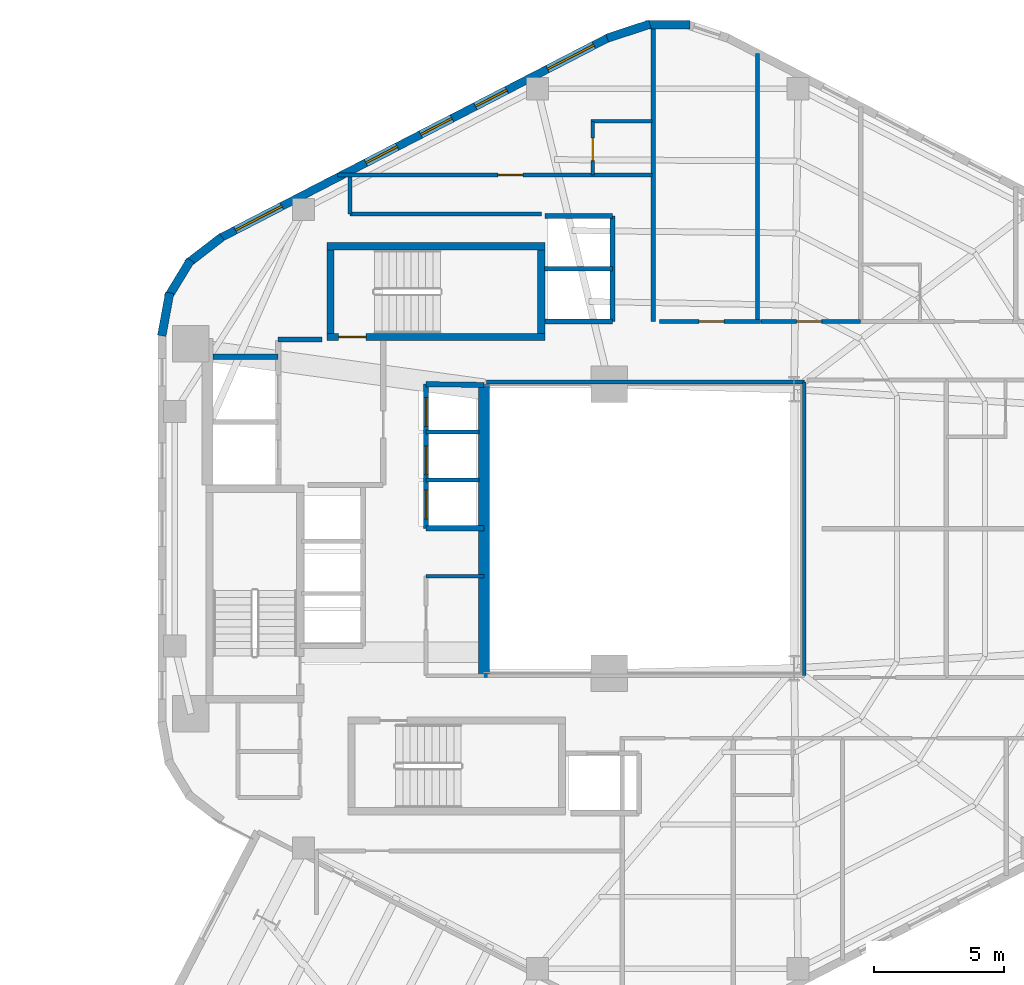
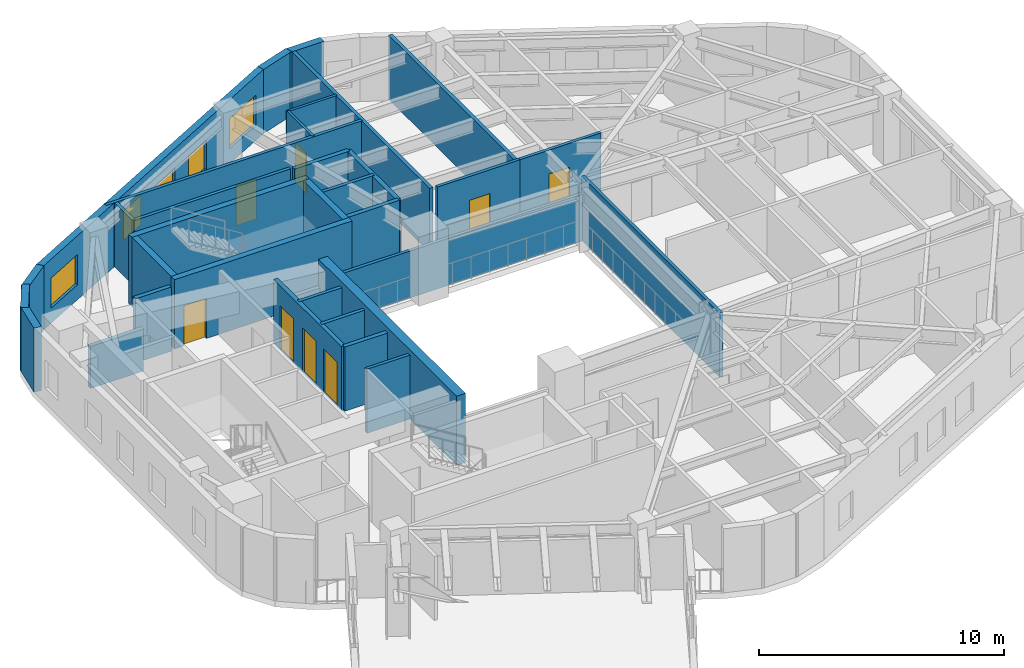
# One storey, part 7 of 10: 34 walls, 8 doors, 5 windows, 13 openings.
"""IFC4 building model written with IfcOpenShell, lengths in metres."""

from ifc_helpers import new_model, si_unit, direction, frame, frame_2d, origin, place, context, subcontext, project, spatial, rectangle, extrude, material, layer, layer_set, type_object, element, fill, save


model = new_model("IFC4")

# Units and contexts
model_context = context("Model", 3, precision=1e-05, world=origin(), true_north=direction((0.0, 1.0)))
body_context = subcontext(model_context, "Body", "Model", "MODEL_VIEW")
ifc_project = project(units=[si_unit("LENGTHUNIT", "METRE"), si_unit("AREAUNIT", "SQUARE_METRE"), si_unit("VOLUMEUNIT", "CUBIC_METRE"), si_unit("PLANEANGLEUNIT", "RADIAN"), si_unit("MASSUNIT", "GRAM", prefix="KILO"), si_unit("THERMODYNAMICTEMPERATUREUNIT", "KELVIN"), si_unit("POWERUNIT", "WATT")], contexts=[model_context])

# Site, building, storey
site_placement = place(None, origin())
site = spatial("IfcSite", under=ifc_project, at=site_placement, CompositionType="ELEMENT")
building_placement = place(site_placement, origin())
building = spatial("IfcBuilding", under=site, at=building_placement, Name="Skarre Station Tower", CompositionType="ELEMENT")
storey_placement = place(building_placement, frame((0.0, 0.0, 180.89990234375)))
storey = spatial("IfcBuildingStorey", under=building, at=storey_placement, Name="L49", CompositionType="ELEMENT", Elevation=180.89990234375)

# Walls
ifc_material_1 = material(Name="Acoustic Steel-Stud Gypsum Partition", Category="steel")
ifc_layer_1 = layer(ifc_material_1, 0.14990234375, Name="Acoustic Steel-Stud Gypsum Partition")
ifc_layer_set_1 = layer_set([ifc_layer_1], Name="Acoustic Steel-Stud Gypsum Partition")
wall_type_1 = type_object("IfcWallType", Name="Fire-Rated Corridor Acoustic Partition 150", PredefinedType="PARTITIONING", material=ifc_layer_set_1)
wall_1_placement = place(storey_placement, frame((25.320068359375, 22.179931640625, 0.0), z_axis=(0.0, 0.0, 1.0), x_axis=(1.0, 0.0, 0.0)))
element("IfcWall", 1, at=wall_1_placement, inside=storey, type_object=wall_type_1, Name="L49 Interior Partition WL-PT-L49-RC1-N2", PredefinedType="PARTITIONING", context=body_context, shape_type="SweptSolid", body=[
    extrude(rectangle(XDim=2.22998046875, YDim=0.14990234375, at=frame_2d((1.114990234375, 0.0))), origin(), (0.0, 0.0, 1.0), 3.190185546875),
])
wall_2_placement = place(storey_placement, frame((39.840087890625, 29.639892578125, 0.0), z_axis=(0.0, 0.0, 1.0), x_axis=(-1.0, 0.0, 0.0)))
element("IfcWall", 2, at=wall_2_placement, inside=storey, type_object=wall_type_1, Name="L49 Interior Partition WL-PT-L49-ATRW-N", PredefinedType="PARTITIONING", context=body_context, shape_type="SweptSolid", body=[
    extrude(rectangle(XDim=12.2001953125, YDim=0.14990234375, at=frame_2d((6.10009765625, 0.0))), origin(), (0.0, 0.0, 1.0), 2.3310546875),
])
wall_3_placement = place(storey_placement, frame((39.840087890625, 18.360107421875, 0.0), z_axis=(0.0, 0.0, 1.0), x_axis=(0.0, 1.0, 0.0)))
element("IfcWall", 3, at=wall_3_placement, inside=storey, type_object=wall_type_1, Name="L49 Interior Partition WL-PT-L49-ATRW-E", PredefinedType="PARTITIONING", context=body_context, shape_type="SweptSolid", body=[
    extrude(rectangle(XDim=11.27978515625, YDim=0.14990234375, at=frame_2d((5.639892578125, 0.0))), origin(), (0.0, 0.0, 1.0), 3.190185546875),
])

# Wall, opening, door
wall_4_placement = place(storey_placement, frame((34.0, 37.580078125, 0.0), z_axis=(0.0, 0.0, 1.0), x_axis=(-1.0, 0.0, 0.0)))
wall_4 = element("IfcWall", 4, at=wall_4_placement, inside=storey, type_object=wall_type_1, Name="L49 Interior Partition WL-PT-L49-NWW1-CW", PredefinedType="PARTITIONING", context=body_context, shape_type="SweptSolid", body=[
    extrude(rectangle(XDim=12.074951171875, YDim=0.14990234375, at=frame_2d((6.03759765625, 0.0))), origin(), (0.0, 0.0, 1.0), 3.190185546875),
])
opening_1_placement = place(wall_4_placement, frame((4.9599609375, 0.0, 0.0)))
opening_1 = element("IfcOpeningElement", 5, at=opening_1_placement, cuts=wall_4, Name="Opening DR-FD60", PredefinedType="OPENING", context=body_context, shape_type="SweptSolid", body=[
    extrude(rectangle(XDim=0.9599609375, YDim=2.0, at=frame_2d((0.47998046875, 1.0))), frame((0.0, 0.0849609375, 0.0), z_axis=(0.0, -1.0, 0.0), x_axis=(1.0, 0.0, 0.0)), (0.0, 0.0, 1.0), 0.169921875),
])
ifc_material_2 = material(Name="Nordic White-Oak Veneer Solid-Core Fire Leaf", Category="wood")
door_type_1 = type_object("IfcDoorType", Name="Corridor Suite Entry Fire Door FD60 960x2150", OperationType="SINGLE_SWING_LEFT", PredefinedType="DOOR", material=ifc_material_2)
door_1_placement = place(opening_1_placement, origin())
door_1 = element("IfcDoor", 6, at=door_1_placement, inside=storey, type_object=door_type_1, Name="L49 NWW1 Entry Door", OperationType="SINGLE_SWING_LEFT", OverallHeight=2.0, OverallWidth=0.9599609375, PredefinedType="DOOR", context=body_context, shape_type="SweptSolid", body=[
    extrude(rectangle(XDim=0.9599609375, YDim=2.0, at=frame_2d((0.47998046875, 1.0))), frame((0.0, 0.02490234375, 0.0), z_axis=(0.0, -1.0, 0.0), x_axis=(1.0, 0.0, 0.0)), (0.0, 0.0, 1.0), 0.050048828125),
])
fill(opening_1, door_1)

wall_5_placement = place(storey_placement, frame((38.1640625, 31.9599609375, 0.0), z_axis=(0.0, 0.0, 1.0), x_axis=(-1.0, 0.0, 0.0)))
wall_5 = element("IfcWall", 7, at=wall_5_placement, inside=storey, type_object=wall_type_1, Name="L49 Interior Partition WL-PT-L49-NW1-CW", PredefinedType="PARTITIONING", context=body_context, shape_type="SweptSolid", body=[
    extrude(rectangle(XDim=3.8740234375, YDim=0.14990234375, at=frame_2d((1.93701171875, 0.0))), origin(), (0.0, 0.0, 1.0), 3.190185546875),
])
opening_2_placement = place(wall_5_placement, frame((1.39990234375, 0.0, 0.0)))
opening_2 = element("IfcOpeningElement", 8, at=opening_2_placement, cuts=wall_5, Name="Opening DR-FD60", PredefinedType="OPENING", context=body_context, shape_type="SweptSolid", body=[
    extrude(rectangle(XDim=0.9599609375, YDim=2.0, at=frame_2d((0.47998046875, 1.0))), frame((0.0, 0.0849609375, 0.0), z_axis=(0.0, -1.0, 0.0), x_axis=(1.0, 0.0, 0.0)), (0.0, 0.0, 1.0), 0.169921875),
])
door_2_placement = place(opening_2_placement, origin())
door_2 = element("IfcDoor", 9, at=door_2_placement, inside=storey, type_object=door_type_1, Name="L49 NW1 Entry Door", OperationType="SINGLE_SWING_LEFT", OverallHeight=2.0, OverallWidth=0.9599609375, PredefinedType="DOOR", context=body_context, shape_type="SweptSolid", body=[
    extrude(rectangle(XDim=0.9599609375, YDim=2.0, at=frame_2d((0.47998046875, 1.0))), frame((0.0, 0.02490234375, 0.0), z_axis=(0.0, -1.0, 0.0), x_axis=(1.0, 0.0, 0.0)), (0.0, 0.0, 1.0), 0.050048828125),
])
fill(opening_2, door_2)

wall_6_placement = place(storey_placement, frame((41.991943359375, 31.9599609375, 0.0), z_axis=(0.0, 0.0, 1.0), x_axis=(-1.0, 0.0, 0.0)))
wall_6 = element("IfcWall", 10, at=wall_6_placement, inside=storey, type_object=wall_type_1, Name="L49 Interior Partition WL-PT-L49-NW2-CW", PredefinedType="PARTITIONING", context=body_context, shape_type="SweptSolid", body=[
    extrude(rectangle(XDim=3.81787109375, YDim=0.14990234375, at=frame_2d((1.908935546875, 0.0))), origin(), (0.0, 0.0, 1.0), 3.190185546875),
])
opening_3_placement = place(wall_6_placement, frame((1.486083984375, 0.0, 0.0)))
opening_3 = element("IfcOpeningElement", 11, at=opening_3_placement, cuts=wall_6, Name="Opening DR-FD60", PredefinedType="OPENING", context=body_context, shape_type="SweptSolid", body=[
    extrude(rectangle(XDim=0.9599609375, YDim=2.0, at=frame_2d((0.47998046875, 1.0))), frame((0.0, 0.0849609375, 0.0), z_axis=(0.0, -1.0, 0.0), x_axis=(1.0, 0.0, 0.0)), (0.0, 0.0, 1.0), 0.169921875),
])
door_3_placement = place(opening_3_placement, origin())
door_3 = element("IfcDoor", 12, at=door_3_placement, inside=storey, type_object=door_type_1, Name="L49 NW2 Entry Door", OperationType="SINGLE_SWING_LEFT", OverallHeight=2.0, OverallWidth=0.9599609375, PredefinedType="DOOR", context=body_context, shape_type="SweptSolid", body=[
    extrude(rectangle(XDim=0.9599609375, YDim=2.0, at=frame_2d((0.47998046875, 1.0))), frame((0.0, 0.02490234375, 0.0), z_axis=(0.0, -1.0, 0.0), x_axis=(1.0, 0.0, 0.0)), (0.0, 0.0, 1.0), 0.050048828125),
])
fill(opening_3, door_3)

# Walls
wall_7_placement = place(storey_placement, frame((29.7529296875, 36.080078125, 0.0), z_axis=(0.0, 0.0, 1.0), x_axis=(-1.0, 0.0, 0.0)))
element("IfcWall", 13, at=wall_7_placement, inside=storey, type_object=wall_type_1, Name="L49 Interior Partition WL-PT-L49-CSEAL-1", PredefinedType="PARTITIONING", context=body_context, shape_type="SweptSolid", body=[
    extrude(rectangle(XDim=7.35302734375, YDim=0.14990234375, at=frame_2d((3.676513671875, 0.0))), origin(), (0.0, 0.0, 1.0), 3.190185546875),
])
wall_8_placement = place(storey_placement, frame((22.39990234375, 36.080078125, 0.0), z_axis=(0.0, 0.0, 1.0), x_axis=(0.0, 1.0, 0.0)))
element("IfcWall", 14, at=wall_8_placement, inside=storey, type_object=wall_type_1, Name="L49 Interior Partition WL-PT-L49-CSEAL-2", PredefinedType="PARTITIONING", context=body_context, shape_type="SweptSolid", body=[
    extrude(rectangle(XDim=1.429931640625, YDim=0.14990234375, at=frame_2d((0.71484375, 0.0))), origin(), (0.0, 0.0, 1.0), 3.190185546875),
])
ifc_material_3 = material(Name="Insulated Timber-Stud Gypsum Partition", Category="wood")
ifc_layer_2 = layer(ifc_material_3, 0.1201171875, Name="Insulated Timber-Stud Gypsum Partition")
ifc_layer_set_2 = layer_set([ifc_layer_2], Name="Insulated Timber-Stud Gypsum Partition")
wall_type_2 = type_object("IfcWallType", Name="Internal Suite Acoustic Partition 120", PredefinedType="PARTITIONING", material=ifc_layer_set_2)
wall_9_placement = place(storey_placement, frame((34.0, 39.639892578125, 0.0), z_axis=(0.0, 0.0, 1.0), x_axis=(-1.0, 0.0, 0.0)))
element("IfcWall", 15, at=wall_9_placement, inside=storey, type_object=wall_type_2, Name="L49 Interior Partition WL-PT-L49-NWW1-EW3", PredefinedType="PARTITIONING", context=body_context, shape_type="SweptSolid", body=[
    extrude(rectangle(XDim=2.340087890625, YDim=0.1201171875, at=frame_2d((1.169921875, 0.0))), origin(), (0.0, 0.0, 1.0), 3.190185546875),
])

# Wall, opening, door
wall_10_placement = place(storey_placement, frame((31.719970703125, 39.639892578125, 0.0), z_axis=(0.0, 0.0, 1.0), x_axis=(0.0, -1.0, 0.0)))
wall_10 = element("IfcWall", 16, at=wall_10_placement, inside=storey, type_object=wall_type_2, Name="L49 Interior Partition WL-PT-L49-NWW1-EW4", PredefinedType="PARTITIONING", context=body_context, shape_type="SweptSolid", body=[
    extrude(rectangle(XDim=2.059814453125, YDim=0.1201171875, at=frame_2d((1.02978515625, 0.0))), origin(), (0.0, 0.0, 1.0), 3.190185546875),
])
opening_4_placement = place(wall_10_placement, frame((0.64990234375, 0.0, 0.0)))
opening_4 = element("IfcOpeningElement", 17, at=opening_4_placement, cuts=wall_10, Name="Opening DR-INT86", PredefinedType="OPENING", context=body_context, shape_type="SweptSolid", body=[
    extrude(rectangle(XDim=0.860107421875, YDim=2.0, at=frame_2d((0.43017578125, 1.0))), frame((0.0, 0.070068359375, 0.0), z_axis=(0.0, -1.0, 0.0), x_axis=(1.0, 0.0, 0.0)), (0.0, 0.0, 1.0), 0.14013671875),
])
ifc_material_4 = material(Name="Nordic Birch Acoustic Solid-Core Timber Leaf", Category="wood")
door_type_2 = type_object("IfcDoorType", Name="Internal En-Suite & Bedroom Door 860x2100", OperationType="SINGLE_SWING_LEFT", PredefinedType="DOOR", material=ifc_material_4)
door_4_placement = place(opening_4_placement, origin())
door_4 = element("IfcDoor", 18, at=door_4_placement, inside=storey, type_object=door_type_2, Name="L49 NWW1 En-suite Door", OperationType="SINGLE_SWING_RIGHT", OverallHeight=2.0, OverallWidth=0.860107421875, PredefinedType="DOOR", context=body_context, shape_type="SweptSolid", body=[
    extrude(rectangle(XDim=0.860107421875, YDim=2.0, at=frame_2d((0.43017578125, 1.0))), frame((0.0, 0.02490234375, 0.0), z_axis=(0.0, -1.0, 0.0), x_axis=(1.0, 0.0, 0.0)), (0.0, 0.0, 1.0), 0.050048828125),
])
fill(opening_4, door_4)

# Walls
ifc_material_5 = material(Name="Precast concrete C45/55", Category="concrete")
ifc_layer_3 = layer(ifc_material_5, 0.330078125, Name="Precast concrete C45/55")
ifc_layer_set_3 = layer_set([ifc_layer_3], Name="Precast concrete C45/55")
wall_type_3 = type_object("IfcWallType", Name="Nordic Rounded Corner Precast Wall 330", PredefinedType="STANDARD", material=ifc_layer_set_3)
wall_11_placement = place(storey_placement, frame((32.281005859375, 42.83203125, 0.0), z_axis=(0.0, 0.0, 1.0), x_axis=(0.949937416267, 0.312440242569, 0.0)))
element("IfcWall", 19, at=wall_11_placement, inside=storey, type_object=wall_type_3, Name="L49 Rounded Corner Precast Wall F1-1", PredefinedType="STANDARD", context=body_context, shape_type="SweptSolid", body=[
    extrude(rectangle(XDim=1.72216796875, YDim=0.330078125, at=frame_2d((0.861083984375, 0.0))), origin(), (0.0, 0.0, 1.0), 3.190185546875),
])
wall_12_placement = place(storey_placement, frame((33.739013671875, 43.341064453125, 0.0), z_axis=(0.0, 0.0, 1.0), x_axis=(1.0, 0.0, 0.0)))
element("IfcWall", 20, at=wall_12_placement, inside=storey, type_object=wall_type_3, Name="L49 Rounded Corner Precast Wall F1-2", PredefinedType="STANDARD", context=body_context, shape_type="SweptSolid", body=[
    extrude(rectangle(XDim=1.721923828125, YDim=0.330078125, at=frame_2d((0.86083984375, 0.0))), origin(), (0.0, 0.0, 1.0), 3.190185546875),
])
wall_13_placement = place(storey_placement, frame((15.178955078125, 31.407958984375, 0.0), z_axis=(0.0, 0.0, 1.0), x_axis=(0.180717642671, 0.983535019014, 0.0)))
element("IfcWall", 21, at=wall_13_placement, inside=storey, type_object=wall_type_3, Name="L49 Rounded Corner Precast Wall F2-1", PredefinedType="STANDARD", context=body_context, shape_type="SweptSolid", body=[
    extrude(rectangle(XDim=1.676513671875, YDim=0.330078125, at=frame_2d((0.83837890625, 0.0))), origin(), (0.0, 0.0, 1.0), 3.190185546875),
])
wall_14_placement = place(storey_placement, frame((15.4150390625, 32.882080078125, 0.0), z_axis=(0.0, 0.0, 1.0), x_axis=(0.520325409202, 0.853968072318, 0.0)))
element("IfcWall", 22, at=wall_14_placement, inside=storey, type_object=wall_type_3, Name="L49 Rounded Corner Precast Wall F2-2", PredefinedType="STANDARD", context=body_context, shape_type="SweptSolid", body=[
    extrude(rectangle(XDim=1.677978515625, YDim=0.330078125, at=frame_2d((0.8388671875, 0.0))), origin(), (0.0, 0.0, 1.0), 3.190185546875),
])
wall_15_placement = place(storey_placement, frame((16.162109375, 34.175048828125, 0.0), z_axis=(0.0, 0.0, 1.0), x_axis=(0.791409877269, 0.611285862884, 0.0)))
element("IfcWall", 23, at=wall_15_placement, inside=storey, type_object=wall_type_3, Name="L49 Rounded Corner Precast Wall F2-3", PredefinedType="STANDARD", context=body_context, shape_type="SweptSolid", body=[
    extrude(rectangle(XDim=1.676513671875, YDim=0.330078125, at=frame_2d((0.83837890625, 0.0))), origin(), (0.0, 0.0, 1.0), 3.190185546875),
])

# Wall, openings, windows
ifc_layer_4 = layer(ifc_material_5, 0.31005859375, Name="Precast concrete C45/55")
ifc_layer_set_4 = layer_set([ifc_layer_4], Name="Precast concrete C45/55")
wall_type_4 = type_object("IfcWallType", Name="Nordic Upper-Zone Precast Facet Wall 310", PredefinedType="STANDARD", material=ifc_layer_set_4)
wall_16_placement = place(storey_placement, frame((17.407958984375, 35.153076171875, 0.0), z_axis=(0.0, 0.0, 1.0), x_axis=(0.888626188278, 0.458632202867, 0.0)))
wall_16 = element("IfcWall", 24, at=wall_16_placement, inside=storey, type_object=wall_type_4, Name="L49 Facet 1 Nordic Precast Masonry Wall", PredefinedType="STANDARD", context=body_context, shape_type="SweptSolid", body=[
    extrude(rectangle(XDim=16.828369140625, YDim=0.31005859375, at=frame_2d((8.4140625, 0.0))), origin(), (0.0, 0.0, 1.0), 3.190185546875),
])
opening_5_placement = place(wall_16_placement, frame((0.675048828125, 0.0, 0.75)))
opening_5 = element("IfcOpeningElement", 25, at=opening_5_placement, cuts=wall_16, Name="Opening WN-Z3A", PredefinedType="OPENING", context=body_context, shape_type="SweptSolid", body=[
    extrude(rectangle(XDim=2.0, YDim=1.5, at=frame_2d((1.0, 0.75))), frame((0.0, 0.1650390625, 0.0), z_axis=(0.0, -1.0, 0.0), x_axis=(1.0, 0.0, 0.0)), (0.0, 0.0, 1.0), 0.330078125),
])
opening_6_placement = place(wall_16_placement, frame((6.31201171875, 0.0, 0.75)))
opening_6 = element("IfcOpeningElement", 26, at=opening_6_placement, cuts=wall_16, Name="Opening WN-Z3B", PredefinedType="OPENING", context=body_context, shape_type="SweptSolid", body=[
    extrude(rectangle(XDim=1.35009765625, YDim=1.449951171875, at=frame_2d((0.675048828125, 0.72509765625))), frame((0.0, 0.1650390625, 0.0), z_axis=(0.0, -1.0, 0.0), x_axis=(1.0, 0.0, 0.0)), (0.0, 0.0, 1.0), 0.330078125),
])
opening_7_placement = place(wall_16_placement, frame((8.676025390625, 0.0, 0.75)))
opening_7 = element("IfcOpeningElement", 27, at=opening_7_placement, cuts=wall_16, Name="Opening WN-Z3B", PredefinedType="OPENING", context=body_context, shape_type="SweptSolid", body=[
    extrude(rectangle(XDim=1.35009765625, YDim=1.449951171875, at=frame_2d((0.675048828125, 0.72509765625))), frame((0.0, 0.1650390625, 0.0), z_axis=(0.0, -1.0, 0.0), x_axis=(1.0, 0.0, 0.0)), (0.0, 0.0, 1.0), 0.330078125),
])
opening_8_placement = place(wall_16_placement, frame((11.041015625, 0.0, 0.75)))
opening_8 = element("IfcOpeningElement", 28, at=opening_8_placement, cuts=wall_16, Name="Opening WN-Z3B", PredefinedType="OPENING", context=body_context, shape_type="SweptSolid", body=[
    extrude(rectangle(XDim=1.35009765625, YDim=1.449951171875, at=frame_2d((0.675048828125, 0.72509765625))), frame((0.0, 0.1650390625, 0.0), z_axis=(0.0, -1.0, 0.0), x_axis=(1.0, 0.0, 0.0)), (0.0, 0.0, 1.0), 0.330078125),
])
opening_9_placement = place(wall_16_placement, frame((14.153076171875, 0.0, 0.75)))
opening_9 = element("IfcOpeningElement", 29, at=opening_9_placement, cuts=wall_16, Name="Opening WN-Z3A", PredefinedType="OPENING", context=body_context, shape_type="SweptSolid", body=[
    extrude(rectangle(XDim=2.0, YDim=1.5, at=frame_2d((1.0, 0.75))), frame((0.0, 0.1650390625, 0.0), z_axis=(0.0, -1.0, 0.0), x_axis=(1.0, 0.0, 0.0)), (0.0, 0.0, 1.0), 0.330078125),
])
ifc_material_6 = material(Name="Low-Iron Triple Glazing with Bronze Anodized Frame", Category="glass")
window_type_1 = type_object("IfcWindowType", Name="Nordic Hospitality Narrow Window 1350x1450", PartitioningType="SINGLE_PANEL", PredefinedType="WINDOW", material=ifc_material_6)
window_1_placement = place(opening_6_placement, origin())
window_1 = element("IfcWindow", 30, at=window_1_placement, inside=storey, type_object=window_type_1, Name="L49 Facade Window WL-FAC-L49-F1-2", OverallHeight=1.449951171875, OverallWidth=1.35009765625, PartitioningType="SINGLE_PANEL", PredefinedType="WINDOW", context=body_context, shape_type="SweptSolid", body=[
    extrude(rectangle(XDim=1.35009765625, YDim=1.449951171875, at=frame_2d((0.675048828125, 0.72509765625))), frame((0.0, 0.030029296875, 0.0), z_axis=(0.0, -1.0, 0.0), x_axis=(1.0, 0.0, 0.0)), (0.0, 0.0, 1.0), 0.06005859375),
])
fill(opening_6, window_1)
window_2_placement = place(opening_7_placement, origin())
window_2 = element("IfcWindow", 31, at=window_2_placement, inside=storey, type_object=window_type_1, Name="L49 Facade Window WL-FAC-L49-F1-3", OverallHeight=1.449951171875, OverallWidth=1.35009765625, PartitioningType="SINGLE_PANEL", PredefinedType="WINDOW", context=body_context, shape_type="SweptSolid", body=[
    extrude(rectangle(XDim=1.35009765625, YDim=1.449951171875, at=frame_2d((0.675048828125, 0.72509765625))), frame((0.0, 0.030029296875, 0.0), z_axis=(0.0, -1.0, 0.0), x_axis=(1.0, 0.0, 0.0)), (0.0, 0.0, 1.0), 0.06005859375),
])
fill(opening_7, window_2)
window_3_placement = place(opening_8_placement, origin())
window_3 = element("IfcWindow", 32, at=window_3_placement, inside=storey, type_object=window_type_1, Name="L49 Facade Window WL-FAC-L49-F1-4", OverallHeight=1.449951171875, OverallWidth=1.35009765625, PartitioningType="SINGLE_PANEL", PredefinedType="WINDOW", context=body_context, shape_type="SweptSolid", body=[
    extrude(rectangle(XDim=1.35009765625, YDim=1.449951171875, at=frame_2d((0.675048828125, 0.72509765625))), frame((0.0, 0.030029296875, 0.0), z_axis=(0.0, -1.0, 0.0), x_axis=(1.0, 0.0, 0.0)), (0.0, 0.0, 1.0), 0.06005859375),
])
fill(opening_8, window_3)
window_type_2 = type_object("IfcWindowType", Name="Nordic Hospitality Window 2000x1500", PartitioningType="SINGLE_PANEL", PredefinedType="WINDOW", material=ifc_material_6)
window_4_placement = place(opening_5_placement, origin())
window_4 = element("IfcWindow", 33, at=window_4_placement, inside=storey, type_object=window_type_2, Name="L49 Facade Window WL-FAC-L49-F1-1", OverallHeight=1.5, OverallWidth=2.0, PartitioningType="SINGLE_PANEL", PredefinedType="WINDOW", context=body_context, shape_type="SweptSolid", body=[
    extrude(rectangle(XDim=2.0, YDim=1.5, at=frame_2d((1.0, 0.75))), frame((0.0, 0.030029296875, 0.0), z_axis=(0.0, -1.0, 0.0), x_axis=(1.0, 0.0, 0.0)), (0.0, 0.0, 1.0), 0.06005859375),
])
fill(opening_5, window_4)
window_5_placement = place(opening_9_placement, origin())
window_5 = element("IfcWindow", 34, at=window_5_placement, inside=storey, type_object=window_type_2, Name="L49 Facade Window WL-FAC-L49-F1-5", OverallHeight=1.5, OverallWidth=2.0, PartitioningType="SINGLE_PANEL", PredefinedType="WINDOW", context=body_context, shape_type="SweptSolid", body=[
    extrude(rectangle(XDim=2.0, YDim=1.5, at=frame_2d((1.0, 0.75))), frame((0.0, 0.030029296875, 0.0), z_axis=(0.0, -1.0, 0.0), x_axis=(1.0, 0.0, 0.0)), (0.0, 0.0, 1.0), 0.06005859375),
])
fill(opening_9, window_5)

# Wall, opening, door
ifc_material_7 = material(Name="Concrete C50/60", Category="concrete")
ifc_layer_5 = layer(ifc_material_7, 0.280029296875, Name="Concrete C50/60")
ifc_layer_set_5 = layer_set([ifc_layer_5], Name="Concrete C50/60")
wall_type_5 = type_object("IfcWallType", Name="RC Core Shear Wall 280", PredefinedType="SHEAR", material=ifc_layer_set_5)
wall_17_placement = place(storey_placement, frame((21.52001953125, 31.360107421875, 0.0), z_axis=(0.0, 0.0, 1.0), x_axis=(1.0, 0.0, 0.0)))
wall_17 = element("IfcWall", 35, at=wall_17_placement, inside=storey, type_object=wall_type_5, Name="L49 Stair ST-3 South Shear Wall", PredefinedType="SHEAR", context=body_context, shape_type="SweptSolid", body=[
    extrude(rectangle(XDim=8.35986328125, YDim=0.280029296875, at=frame_2d((4.179931640625, 0.0))), origin(), (0.0, 0.0, 1.0), 3.4501953125),
])
opening_10_placement = place(wall_17_placement, frame((0.449951171875, 0.0, 0.0)))
opening_10 = element("IfcOpeningElement", 36, at=opening_10_placement, cuts=wall_17, Name="Opening DR-FD90", PredefinedType="OPENING", context=body_context, shape_type="SweptSolid", body=[
    extrude(rectangle(XDim=1.050048828125, YDim=2.0, at=frame_2d((0.52490234375, 1.0))), frame((0.0, 0.14990234375, 0.0), z_axis=(0.0, -1.0, 0.0), x_axis=(1.0, 0.0, 0.0)), (0.0, 0.0, 1.0), 0.300048828125),
])
ifc_material_8 = material(Name="Fire-Rated Insulated Steel Frame & Timber Core Leaf", Category="steel")
door_type_3 = type_object("IfcDoorType", Name="Stair & FSAE Lobby Fire Door FD90 1050x2150", OperationType="SINGLE_SWING_RIGHT", PredefinedType="DOOR", material=ifc_material_8)
door_5_placement = place(opening_10_placement, origin())
door_5 = element("IfcDoor", 37, at=door_5_placement, inside=storey, type_object=door_type_3, Name="L49 Stair ST-3 & FSAE Lobby Direct Exit Door", OperationType="SINGLE_SWING_LEFT", OverallHeight=2.0, OverallWidth=1.050048828125, PredefinedType="DOOR", context=body_context, shape_type="SweptSolid", body=[
    extrude(rectangle(XDim=1.050048828125, YDim=2.0, at=frame_2d((0.52490234375, 1.0))), frame((0.0, 0.02490234375, 0.0), z_axis=(0.0, -1.0, 0.0), x_axis=(1.0, 0.0, 0.0)), (0.0, 0.0, 1.0), 0.050048828125),
])
fill(opening_10, door_5)

# Walls
wall_18_placement = place(storey_placement, frame((29.8798828125, 34.840087890625, 0.0), z_axis=(0.0, 0.0, 1.0), x_axis=(-1.0, 0.0, 0.0)))
element("IfcWall", 38, at=wall_18_placement, inside=storey, type_object=wall_type_5, Name="L49 Stair ST-3 North Shear Wall", PredefinedType="SHEAR", context=body_context, shape_type="SweptSolid", body=[
    extrude(rectangle(XDim=8.35986328125, YDim=0.280029296875, at=frame_2d((4.179931640625, 0.0))), origin(), (0.0, 0.0, 1.0), 3.4501953125),
])
for number, where, z_axis, x_axis, name in (
    (39, (21.659912109375, 34.699951171875, 0.0), (0.0, 0.0, 1.0), (0.0, -1.0, 0.0), "L49 Stair ST-3 West Shear Wall"),
    (40, (29.739990234375, 31.5, 0.0), (0.0, 0.0, 1.0), (0.0, 1.0, 0.0), "L49 Stair ST-3 East Shear Wall"),
):
    element("IfcWall", number, at=place(storey_placement, frame(where, z_axis=z_axis, x_axis=x_axis)), inside=storey, type_object=wall_type_5, Name=name, PredefinedType="SHEAR", context=body_context, shape_type="SweptSolid", body=[
        extrude(rectangle(XDim=3.199951171875, YDim=0.280029296875, at=frame_2d((1.60009765625, 0.0))), origin(), (0.0, 0.0, 1.0), 3.4501953125),
    ])
ifc_material_9 = material(Name="Concrete C60/75", Category="concrete")
ifc_layer_6 = layer(ifc_material_9, 0.419921875, Name="Concrete C60/75")
ifc_layer_set_6 = layer_set([ifc_layer_6], Name="Concrete C60/75")
wall_type_6 = type_object("IfcWallType", Name="RC Core Shear Wall 420", PredefinedType="SHEAR", material=ifc_layer_set_6)
wall_19_placement = place(storey_placement, frame((27.550048828125, 29.550048828125, 0.0), z_axis=(0.0, 0.0, 1.0), x_axis=(0.0, -1.0, 0.0)))
element("IfcWall", 41, at=wall_19_placement, inside=storey, type_object=wall_type_6, Name="L49 Core East Atrium Shear Wall", PredefinedType="SHEAR", context=body_context, shape_type="SweptSolid", body=[
    extrude(rectangle(XDim=11.25, YDim=0.419921875, at=frame_2d((5.625, 0.0))), origin(), (0.0, 0.0, 1.0), 3.4501953125),
])
ifc_material_10 = material(Name="Gypsum Concrete Shaft Assembly C30/37", Category="concrete")
ifc_layer_7 = layer(ifc_material_10, 0.199951171875, Name="Gypsum Concrete Shaft Assembly C30/37")
ifc_layer_set_7 = layer_set([ifc_layer_7], Name="Gypsum Concrete Shaft Assembly C30/37")
wall_type_7 = type_object("IfcWallType", Name="Shaft & Core Fire Partition 200", PredefinedType="PARTITIONING", material=ifc_layer_set_7)
wall_20_placement = place(storey_placement, frame((21.330078125, 31.260009765625, 0.0), z_axis=(0.0, 0.0, 1.0), x_axis=(-1.0, 0.0, 0.0)))
element("IfcWall", 42, at=wall_20_placement, inside=storey, type_object=wall_type_7, Name="L49 Interior Partition WL-PT-L49-FSAE-N", PredefinedType="PARTITIONING", context=body_context, shape_type="SweptSolid", body=[
    extrude(rectangle(XDim=1.68017578125, YDim=0.199951171875, at=frame_2d((0.840087890625, 0.0))), origin(), (0.0, 0.0, 1.0), 3.190185546875),
])
wall_21_placement = place(storey_placement, frame((19.64990234375, 30.60009765625, 0.0), z_axis=(0.0, 0.0, 1.0), x_axis=(-1.0, 0.0, 0.0)))
element("IfcWall", 43, at=wall_21_placement, inside=storey, type_object=wall_type_7, Name="L49 Interior Partition WL-PT-L49-FF-N", PredefinedType="PARTITIONING", context=body_context, shape_type="SweptSolid", body=[
    extrude(rectangle(XDim=2.5, YDim=0.199951171875, at=frame_2d((1.25, 0.0))), origin(), (0.0, 0.0, 1.0), 2.090087890625),
])
wall_22_placement = place(storey_placement, frame((32.47998046875, 31.949951171875, 0.0), z_axis=(0.0, 0.0, 1.0), x_axis=(0.0, 1.0, 0.0)))
element("IfcWall", 44, at=wall_22_placement, inside=storey, type_object=wall_type_7, Name="L49 Interior Partition WL-PT-L49-EX-E", PredefinedType="PARTITIONING", context=body_context, shape_type="SweptSolid", body=[
    extrude(rectangle(XDim=4.050048828125, YDim=0.199951171875, at=frame_2d((2.02490234375, 0.0))), origin(), (0.0, 0.0, 1.0), 3.190185546875),
])
for number, where, z_axis, x_axis, name in (
    (45, (29.8798828125, 36.0, 0.0), (0.0, 0.0, 1.0), (1.0, 0.0, 0.0), "L49 Interior Partition WL-PT-L49-EX-N"),
    (46, (32.47998046875, 31.949951171875, 0.0), (0.0, 0.0, 1.0), (-1.0, 0.0, 0.0), "L49 Interior Partition WL-PT-L49-EX-S"),
):
    element("IfcWall", number, at=place(storey_placement, frame(where, z_axis=z_axis, x_axis=x_axis)), inside=storey, type_object=wall_type_7, Name=name, PredefinedType="PARTITIONING", context=body_context, shape_type="SweptSolid", body=[
        extrude(rectangle(XDim=2.60009765625, YDim=0.199951171875, at=frame_2d((1.300048828125, 0.0))), origin(), (0.0, 0.0, 1.0), 3.190185546875),
    ])
wall_23_placement = place(storey_placement, frame((29.875, 33.97998046875, 0.0), z_axis=(0.0, 0.0, 1.0), x_axis=(1.0, 0.0, 0.0)))
element("IfcWall", 47, at=wall_23_placement, inside=storey, type_object=wall_type_7, Name="L49 Interior Partition WL-PT-L49-EX-DIV", PredefinedType="PARTITIONING", context=body_context, shape_type="SweptSolid", body=[
    extrude(rectangle(XDim=2.60498046875, YDim=0.159912109375, at=frame_2d((1.302490234375, 0.0))), origin(), (0.0, 0.0, 1.0), 3.190185546875),
])

# Wall, openings, doors
wall_24_placement = place(storey_placement, frame((25.320068359375, 29.550048828125, 0.0), z_axis=(0.0, 0.0, 1.0), x_axis=(0.0, -1.0, 0.0)))
wall_24 = element("IfcWall", 48, at=wall_24_placement, inside=storey, type_object=wall_type_7, Name="L49 Interior Partition WL-PT-L49-B2-W", PredefinedType="PARTITIONING", context=body_context, shape_type="SweptSolid", body=[
    extrude(rectangle(XDim=5.530029296875, YDim=0.199951171875, at=frame_2d((2.76513671875, 0.0))), origin(), (0.0, 0.0, 1.0), 3.190185546875),
])
opening_11_placement = place(wall_24_placement, frame((0.52001953125, 0.0, 0.0)))
opening_11 = element("IfcOpeningElement", 49, at=opening_11_placement, cuts=wall_24, Name="Opening LD-P6", PredefinedType="OPENING", context=body_context, shape_type="SweptSolid", body=[
    extrude(rectangle(XDim=1.10009765625, YDim=2.199951171875, at=frame_2d((0.550048828125, 1.10009765625))), frame((0.0, 0.10986328125, 0.0), z_axis=(0.0, -1.0, 0.0), x_axis=(1.0, 0.0, 0.0)), (0.0, 0.0, 1.0), 0.219970703125),
])
opening_12_placement = place(wall_24_placement, frame((2.3701171875, 0.0, 0.0)))
opening_12 = element("IfcOpeningElement", 50, at=opening_12_placement, cuts=wall_24, Name="Opening LD-P5", PredefinedType="OPENING", context=body_context, shape_type="SweptSolid", body=[
    extrude(rectangle(XDim=1.10009765625, YDim=2.199951171875, at=frame_2d((0.550048828125, 1.10009765625))), frame((0.0, 0.10986328125, 0.0), z_axis=(0.0, -1.0, 0.0), x_axis=(1.0, 0.0, 0.0)), (0.0, 0.0, 1.0), 0.219970703125),
])
opening_13_placement = place(wall_24_placement, frame((4.070068359375, 0.0, 0.0)))
opening_13 = element("IfcOpeningElement", 51, at=opening_13_placement, cuts=wall_24, Name="Opening LD-P4", PredefinedType="OPENING", context=body_context, shape_type="SweptSolid", body=[
    extrude(rectangle(XDim=1.10009765625, YDim=2.199951171875, at=frame_2d((0.550048828125, 1.10009765625))), frame((0.0, 0.10986328125, 0.0), z_axis=(0.0, -1.0, 0.0), x_axis=(1.0, 0.0, 0.0)), (0.0, 0.0, 1.0), 0.219970703125),
])
ifc_material_11 = material(Name="Brushed Bronze Stainless Steel Sliding Leaves", Category="steel")
door_type_4 = type_object("IfcDoorType", Name="Passenger Elevator Center-Parting Sliding Door 1100x2200", OperationType="SLIDING_TO_LEFT", PredefinedType="DOOR", material=ifc_material_11)
door_6_placement = place(opening_11_placement, origin())
door_6 = element("IfcDoor", 52, at=door_6_placement, inside=storey, type_object=door_type_4, Name="L49 Passenger Lift LF-P6 Landing Door", OperationType="SLIDING_TO_LEFT", OverallHeight=2.199951171875, OverallWidth=1.10009765625, PredefinedType="DOOR", context=body_context, shape_type="SweptSolid", body=[
    extrude(rectangle(XDim=1.10009765625, YDim=2.199951171875, at=frame_2d((0.550048828125, 1.10009765625))), frame((0.0, 0.02490234375, 0.0), z_axis=(0.0, -1.0, 0.0), x_axis=(1.0, 0.0, 0.0)), (0.0, 0.0, 1.0), 0.050048828125),
])
fill(opening_11, door_6)
door_7_placement = place(opening_12_placement, origin())
door_7 = element("IfcDoor", 53, at=door_7_placement, inside=storey, type_object=door_type_4, Name="L49 Passenger Lift LF-P5 Landing Door", OperationType="SLIDING_TO_LEFT", OverallHeight=2.199951171875, OverallWidth=1.10009765625, PredefinedType="DOOR", context=body_context, shape_type="SweptSolid", body=[
    extrude(rectangle(XDim=1.10009765625, YDim=2.199951171875, at=frame_2d((0.550048828125, 1.10009765625))), frame((0.0, 0.02490234375, 0.0), z_axis=(0.0, -1.0, 0.0), x_axis=(1.0, 0.0, 0.0)), (0.0, 0.0, 1.0), 0.050048828125),
])
fill(opening_12, door_7)
door_8_placement = place(opening_13_placement, origin())
door_8 = element("IfcDoor", 54, at=door_8_placement, inside=storey, type_object=door_type_4, Name="L49 Passenger Lift LF-P4 Landing Door", OperationType="SLIDING_TO_LEFT", OverallHeight=2.199951171875, OverallWidth=1.10009765625, PredefinedType="DOOR", context=body_context, shape_type="SweptSolid", body=[
    extrude(rectangle(XDim=1.10009765625, YDim=2.199951171875, at=frame_2d((0.550048828125, 1.10009765625))), frame((0.0, 0.02490234375, 0.0), z_axis=(0.0, -1.0, 0.0), x_axis=(1.0, 0.0, 0.0)), (0.0, 0.0, 1.0), 0.050048828125),
])
fill(opening_13, door_8)

# Walls
wall_25_placement = place(storey_placement, frame((27.550048828125, 29.52001953125, 0.0), z_axis=(0.0, 0.0, 1.0), x_axis=(-0.999909343457, 0.013464949556, 0.0)))
element("IfcWall", 55, at=wall_25_placement, inside=storey, type_object=wall_type_7, Name="L49 Interior Partition WL-PT-L49-B2-N", PredefinedType="PARTITIONING", context=body_context, shape_type="SweptSolid", body=[
    extrude(rectangle(XDim=2.230224609375, YDim=0.199951171875, at=frame_2d((1.115234375, 0.0))), origin(), (0.0, 0.0, 1.0), 2.090087890625),
])
wall_26_placement = place(storey_placement, frame((25.320068359375, 24.02001953125, 0.0), z_axis=(0.0, 0.0, 1.0), x_axis=(1.0, 0.0, 0.0)))
element("IfcWall", 56, at=wall_26_placement, inside=storey, type_object=wall_type_7, Name="L49 Interior Partition WL-PT-L49-B2-S", PredefinedType="PARTITIONING", context=body_context, shape_type="SweptSolid", body=[
    extrude(rectangle(XDim=2.22998046875, YDim=0.199951171875, at=frame_2d((1.114990234375, 0.0))), origin(), (0.0, 0.0, 1.0), 3.190185546875),
])
for number, where, z_axis, x_axis, name in (
    (57, (25.320068359375, 25.8701171875, 0.0), (0.0, 0.0, 1.0), (1.0, 0.0, 0.0), "L49 Interior Partition WL-PT-L49-B2-D258"),
    (58, (25.320068359375, 27.719970703125, 0.0), (0.0, 0.0, 1.0), (1.0, 0.0, 0.0), "L49 Interior Partition WL-PT-L49-B2-D277"),
):
    element("IfcWall", number, at=place(storey_placement, frame(where, z_axis=z_axis, x_axis=x_axis)), inside=storey, type_object=wall_type_7, Name=name, PredefinedType="PARTITIONING", context=body_context, shape_type="SweptSolid", body=[
        extrude(rectangle(XDim=2.030029296875, YDim=0.159912109375, at=frame_2d((1.01513671875, 0.0))), origin(), (0.0, 0.0, 1.0), 3.190185546875),
    ])
ifc_layer_8 = layer(ifc_material_1, 0.1650390625, Name="Acoustic Steel-Stud Gypsum Partition")
ifc_layer_set_8 = layer_set([ifc_layer_8], Name="Acoustic Steel-Stud Gypsum Partition")
wall_type_8 = type_object("IfcWallType", Name="Suite Demising Acoustic Partition 165", PredefinedType="PARTITIONING", material=ifc_layer_set_8)
wall_27_placement = place(storey_placement, frame((34.0400390625, 31.9599609375, 0.0), z_axis=(0.0, 0.0, 1.0), x_axis=(0.0, 1.0, 0.0)))
element("IfcWall", 59, at=wall_27_placement, inside=storey, type_object=wall_type_8, Name="L49 Interior Partition WL-PT-L49-NW-WBND", PredefinedType="PARTITIONING", context=body_context, shape_type="SweptSolid", body=[
    extrude(rectangle(XDim=11.3759765625, YDim=0.1650390625, at=frame_2d((5.68798828125, 0.0))), origin(), (0.0, 0.0, 1.0), 3.190185546875),
])
wall_28_placement = place(storey_placement, frame((38.0439453125, 31.969970703125, 0.0), z_axis=(0.0, 0.0, 1.0), x_axis=(0.0, 1.0, 0.0)))
element("IfcWall", 60, at=wall_28_placement, inside=storey, type_object=wall_type_8, Name="L49 Interior Partition WL-PT-L49-NW-P1", PredefinedType="PARTITIONING", context=body_context, shape_type="SweptSolid", body=[
    extrude(rectangle(XDim=10.261962890625, YDim=0.1650390625, at=frame_2d((5.130859375, 0.0))), origin(), (0.0, 0.0, 1.0), 3.190185546875),
])

save(model, "model.ifc")
